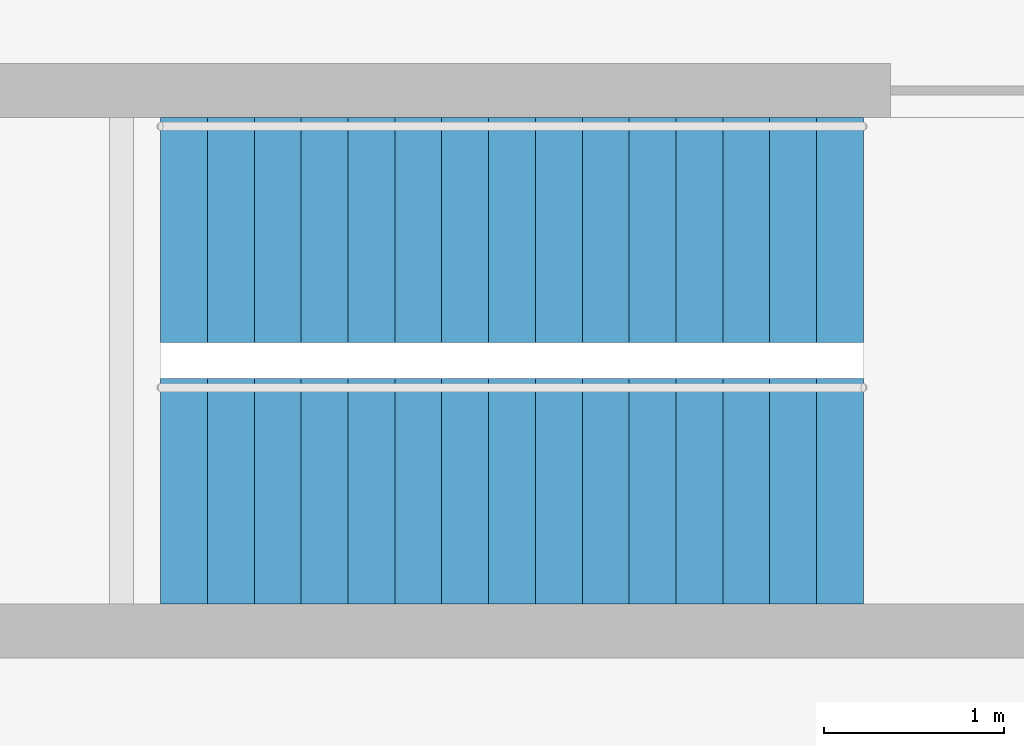
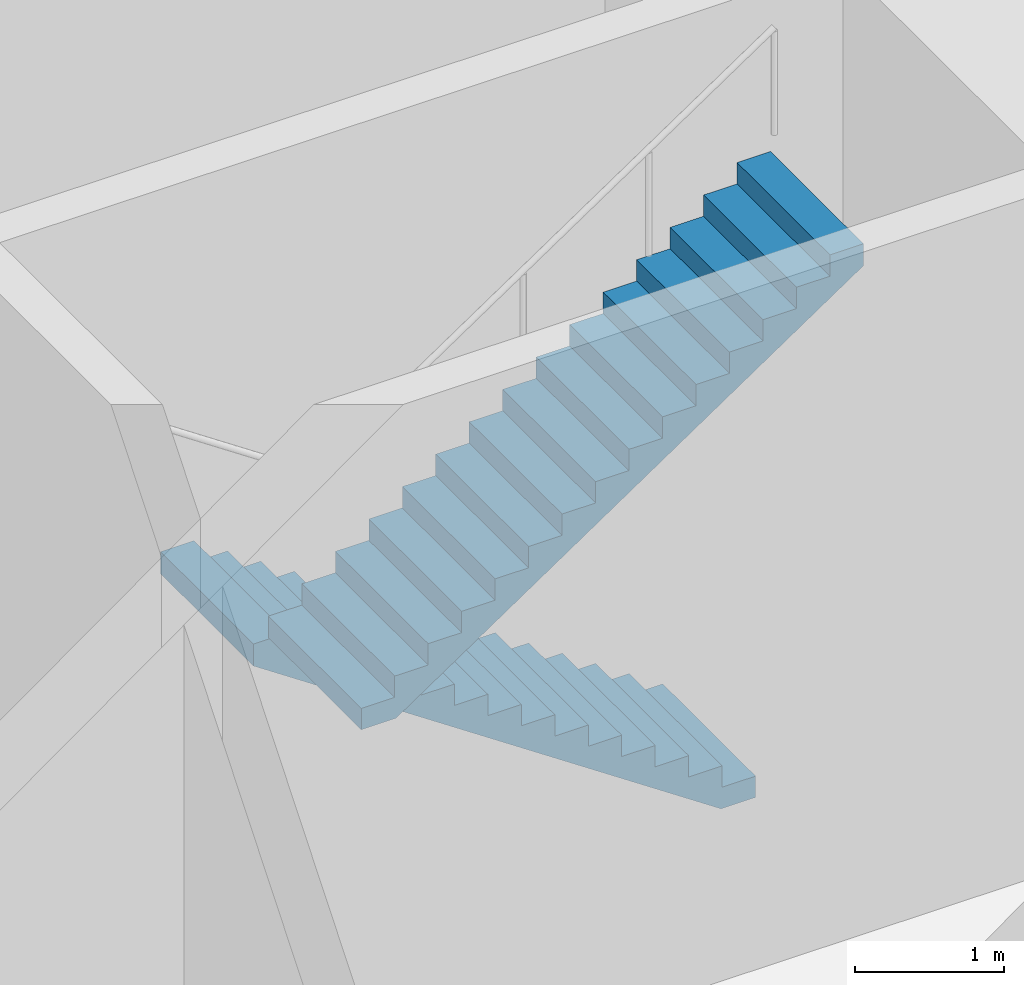
# One storey, part 12 of 13: 2 stair flights, 1 element without a shape of its own.
"""IFC4 building model written with IfcOpenShell, lengths in metres."""

from ifc_helpers import new_model, si_unit, direction, frame, origin, place, context, subcontext, project, spatial, polyline, outline, extrude, material, type_object, element, aggregate, save


model = new_model("IFC4")

# Units and contexts
model_context = context("Model", 3, precision=1e-05, world=origin(), true_north=direction((0.0, 1.0)))
body_context = subcontext(model_context, "Body", "Model", "MODEL_VIEW")
ifc_project = project(units=[si_unit("LENGTHUNIT", "METRE"), si_unit("AREAUNIT", "SQUARE_METRE"), si_unit("VOLUMEUNIT", "CUBIC_METRE"), si_unit("PLANEANGLEUNIT", "RADIAN"), si_unit("MASSUNIT", "GRAM", prefix="KILO")], contexts=[model_context])

# Site, building, storey
site_placement = place(None, origin())
site = spatial("IfcSite", under=ifc_project, at=site_placement, CompositionType="ELEMENT")
building_placement = place(site_placement, origin())
building = spatial("IfcBuilding", under=site, at=building_placement, Name="Marramba Exchange Tower", CompositionType="ELEMENT")
storey_placement = place(building_placement, frame((0.0, 0.0, 246.199951171875)))
storey = spatial("IfcBuildingStorey", under=building, at=storey_placement, Name="L60", CompositionType="ELEMENT", Elevation=246.199951171875)

# Stair, stair flights
ifc_material = material(Name="Concrete N40 (40 MPa)", Category="concrete")
stair_type = type_object("IfcStairType", Name="Exit stair ST2 5600 x 1250", PredefinedType="HALF_TURN_STAIR", material=ifc_material)
stair_placement = place(storey_placement, origin())
stair = element("IfcStair", 1, at=stair_placement, inside=storey, type_object=stair_type, Name="Exit stair ST2 L60", PredefinedType="HALF_TURN_STAIR")
stair_flight_type = type_object("IfcStairFlightType", Name="ST2 stair flight 1750 riser 1250 wide", PredefinedType="STRAIGHT", material=ifc_material)
stair_flight_1_placement = place(storey_placement, frame((11.800048828125, -2.375, 0.0), z_axis=(0.0, 0.0, 1.0), x_axis=(-1.0, 0.0, 0.0)))
stair_flight_1 = element("IfcStairFlight", 2, at=stair_flight_1_placement, type_object=stair_flight_type, Name="ST2 flight 1", NumberOfRisers=16, NumberOfTreads=15, PredefinedType="STRAIGHT", RiserHeight=0.175, TreadLength=0.26, context=body_context, shape_type="SweptSolid", body=[
    extrude(outline(polyline([(0.0, 0.0), (0.0, 0.175048828125), (0.260009765625, 0.175048828125), (0.260009765625, 0.35009765625), (0.52001953125, 0.35009765625), (0.52001953125, 0.52490234375), (0.780029296875, 0.52490234375), (0.780029296875, 0.699951171875), (1.0400390625, 0.699951171875), (1.0400390625, 0.875), (1.300048828125, 0.875), (1.300048828125, 1.050048828125), (1.56005859375, 1.050048828125), (1.56005859375, 1.22509765625), (1.820068359375, 1.22509765625), (1.820068359375, 1.39990234375), (2.080078125, 1.39990234375), (2.080078125, 1.574951171875), (2.340087890625, 1.574951171875), (2.340087890625, 1.75), (2.60009765625, 1.75), (2.60009765625, 1.925048828125), (2.860107421875, 1.925048828125), (2.860107421875, 2.10009765625), (3.1201171875, 2.10009765625), (3.1201171875, 2.27490234375), (3.3798828125, 2.27490234375), (3.3798828125, 2.449951171875), (3.639892578125, 2.449951171875), (3.639892578125, 2.625), (3.89990234375, 2.625), (3.89990234375, 2.800048828125), (3.89990234375, 2.4443359375), (0.2685546875, 0.0), (0.0, 0.0)])), frame((0.0, 0.625, 0.0), z_axis=(0.0, -1.0, 0.0), x_axis=(1.0, 0.0, 0.0)), (0.0, 0.0, 1.0), 1.25),
])
stair_flight_2_placement = place(storey_placement, frame((7.89990234375, -3.824951171875, 2.800048828125), z_axis=(0.0, 0.0, 1.0), x_axis=(1.0, 0.0, 0.0)))
stair_flight_2 = element("IfcStairFlight", 3, at=stair_flight_2_placement, type_object=stair_flight_type, Name="ST2 flight 2", NumberOfRisers=16, NumberOfTreads=15, PredefinedType="STRAIGHT", RiserHeight=0.175, TreadLength=0.26, context=body_context, shape_type="SweptSolid", body=[
    extrude(outline(polyline([(0.0, 0.0), (0.0, 0.175048828125), (0.260009765625, 0.175048828125), (0.260009765625, 0.35009765625), (0.52001953125, 0.35009765625), (0.52001953125, 0.52490234375), (0.780029296875, 0.52490234375), (0.780029296875, 0.699951171875), (1.0400390625, 0.699951171875), (1.0400390625, 0.875), (1.300048828125, 0.875), (1.300048828125, 1.050048828125), (1.56005859375, 1.050048828125), (1.56005859375, 1.22509765625), (1.820068359375, 1.22509765625), (1.820068359375, 1.39990234375), (2.080078125, 1.39990234375), (2.080078125, 1.574951171875), (2.340087890625, 1.574951171875), (2.340087890625, 1.75), (2.60009765625, 1.75), (2.60009765625, 1.925048828125), (2.860107421875, 1.925048828125), (2.860107421875, 2.10009765625), (3.1201171875, 2.10009765625), (3.1201171875, 2.27490234375), (3.3798828125, 2.27490234375), (3.3798828125, 2.449951171875), (3.639892578125, 2.449951171875), (3.639892578125, 2.625), (3.89990234375, 2.625), (3.89990234375, 2.800048828125), (3.89990234375, 2.4443359375), (0.2685546875, 0.0), (0.0, 0.0)])), frame((0.0, 0.625, 0.0), z_axis=(0.0, -1.0, 0.0), x_axis=(1.0, 0.0, 0.0)), (0.0, 0.0, 1.0), 1.25),
])
aggregate(stair, [stair_flight_1, stair_flight_2])

save(model, "model.ifc")
